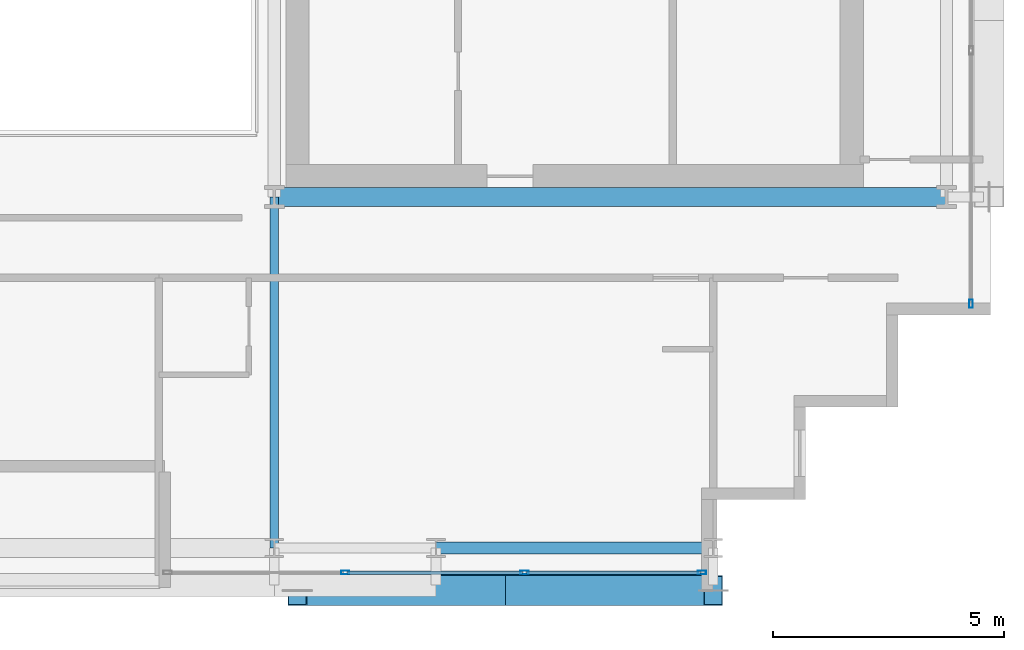
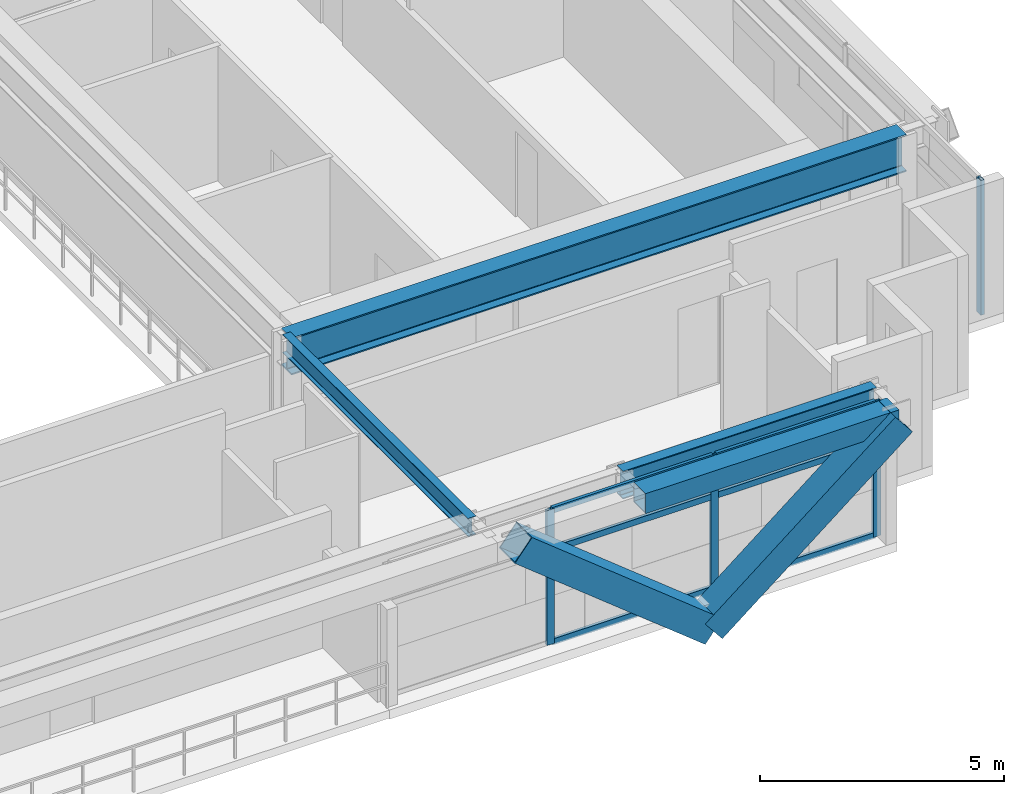
# One storey, part 10 of 31: 12 members, 4 beams, 2 elements without a shape of their own.
"""IFC4 building model written with IfcOpenShell, lengths in metres."""

from ifc_helpers import new_model, si_unit, direction, frame, origin, origin_2d, place, context, subcontext, project, spatial, hollow_rectangle, i_section, extrude, source, transform, mapped, material, layer, layer_set, material_profile, profile_set, type_object, element, aggregate, save


model = new_model("IFC4")

# Units and contexts
model_context = context("Model", 3, precision=1e-05, world=origin(), true_north=direction((0.0, 1.0)))
body_context = subcontext(model_context, "Body", "Model", "MODEL_VIEW")
ifc_project = project(units=[si_unit("LENGTHUNIT", "METRE"), si_unit("AREAUNIT", "SQUARE_METRE"), si_unit("VOLUMEUNIT", "CUBIC_METRE"), si_unit("PLANEANGLEUNIT", "RADIAN"), si_unit("MASSUNIT", "GRAM", prefix="KILO")], contexts=[model_context])

# Site, building, storey
site_placement = place(None, origin())
site = spatial("IfcSite", under=ifc_project, at=site_placement, CompositionType="ELEMENT")
building_placement = place(site_placement, origin())
building = spatial("IfcBuilding", under=site, at=building_placement, Name="Ocotamira Hotel", CompositionType="ELEMENT")
storey_placement = place(building_placement, frame((0.0, 0.0, 199.199951171875)))
storey = spatial("IfcBuildingStorey", under=building, at=storey_placement, Name="L50", CompositionType="ELEMENT", Elevation=199.199951171875)

# Beams
ifc_material_1 = material(Name="Steel ASTM A992 Grade 50", Category="steel")
ifc_material_profile_1 = material_profile(ifc_material_1, i_section(OverallWidth=0.41796875, OverallDepth=0.927001953125, WebThickness=0.019287109375, FlangeThickness=0.031982421875, FilletRadius=0.02392578125, at=origin_2d()), Name="W36X231")
ifc_profile_set_1 = profile_set([ifc_material_profile_1], Name="Steel ASTM A992 Grade 50")
beam_type_1 = type_object("IfcBeamType", Name="BM-GIRD-W36X231", PredefinedType="BEAM", material=ifc_profile_set_1)
shared_shape_1 = source(origin(), body_context, "Body", "SweptSolid", [
    extrude(i_section(OverallWidth=0.41796875, OverallDepth=0.927001953125, WebThickness=0.019287109375, FlangeThickness=0.031982421875, FilletRadius=0.02392578125, at=origin_2d()), origin(), (0.0, 0.0, 1.0), 14.550048828125),
])
beam_1_placement = place(storey_placement, frame((40.5, 14.550048828125, 2.906494140625), z_axis=(1.0, 0.0, 0.0), x_axis=(0.0, 1.0, 0.0)))
element("IfcBeam", 1, at=beam_1_placement, inside=storey, type_object=beam_type_1, Name="L50 Girder Y14.55 X40.5-55.05", PredefinedType="BEAM", context=body_context, shape_type="MappedRepresentation", body=[
    mapped(shared_shape_1, transform((0.0, 0.0, 0.0), scale=1.0)),
])
ifc_material_profile_2 = material_profile(ifc_material_1, i_section(OverallWidth=0.256103515625, OverallDepth=0.693115234375, WebThickness=0.014404296875, FlangeThickness=0.023681640625, FilletRadius=0.01611328125, at=origin_2d()), Name="W27X114")
ifc_profile_set_2 = profile_set([ifc_material_profile_2], Name="Steel ASTM A992 Grade 50")
beam_type_2 = type_object("IfcBeamType", Name="BM-PRIM-W27X114", PredefinedType="BEAM", material=ifc_profile_set_2)
shared_shape_2 = source(origin(), body_context, "Body", "SweptSolid", [
    extrude(i_section(OverallWidth=0.256103515625, OverallDepth=0.693115234375, WebThickness=0.014404296875, FlangeThickness=0.023681640625, FilletRadius=0.01611328125, at=origin_2d()), origin(), (0.0, 0.0, 1.0), 6.0),
])
beam_2_placement = place(storey_placement, frame((44.0, 6.949951171875, 3.0234375), z_axis=(1.0, 0.0, 0.0), x_axis=(0.0, 1.0, 0.0)))
element("IfcBeam", 2, at=beam_2_placement, inside=storey, type_object=beam_type_2, Name="L50 Girder Y6.95 X44-50", PredefinedType="BEAM", context=body_context, shape_type="MappedRepresentation", body=[
    mapped(shared_shape_2, transform((0.0, 0.0, 0.0), scale=1.0)),
])
ifc_material_2 = material(Name="Steel ASTM A500 Grade C", Category="steel")
ifc_material_profile_3 = material_profile(ifc_material_2, hollow_rectangle(XDim=0.5, YDim=0.5, WallThickness=0.02001953125, at=origin_2d()), Name="HSS500X500X20")
ifc_profile_set_3 = profile_set([ifc_material_profile_3], Name="Steel ASTM A500 Grade C")
beam_type_3 = type_object("IfcBeamType", Name="BM-SPAN-HSS500", PredefinedType="USERDEFINED", material=ifc_profile_set_3)
shared_shape_3 = source(origin(), body_context, "Body", "SweptSolid", [
    extrude(hollow_rectangle(XDim=0.5, YDim=0.5, WallThickness=0.02001953125, at=origin_2d()), origin(), (0.0, 0.0, 1.0), 6.0),
])
beam_3_placement = place(storey_placement, frame((44.0, 6.14990234375, 3.1201171875), z_axis=(1.0, 0.0, 0.0), x_axis=(0.0, 1.0, 0.0)))
element("IfcBeam", 3, at=beam_3_placement, inside=storey, type_object=beam_type_3, Name="L50 Edge Spandrel S X44-50", ObjectType="SPANDREL", PredefinedType="USERDEFINED", context=body_context, shape_type="MappedRepresentation", body=[
    mapped(shared_shape_3, transform((0.0, 0.0, 0.0), scale=1.0)),
])
ifc_material_profile_4 = material_profile(ifc_material_1, i_section(OverallWidth=0.18994140625, OverallDepth=0.45703125, WebThickness=0.009033203125, FlangeThickness=0.014404296875, FilletRadius=0.010009765625, at=origin_2d()), Name="W18X50")
ifc_profile_set_4 = profile_set([ifc_material_profile_4], Name="Steel ASTM A992 Grade 50")
beam_type_4 = type_object("IfcBeamType", Name="BM-SEC-W18X50", PredefinedType="JOIST", material=ifc_profile_set_4)
shared_shape_4 = source(origin(), body_context, "Body", "SweptSolid", [
    extrude(i_section(OverallWidth=0.18994140625, OverallDepth=0.45703125, WebThickness=0.009033203125, FlangeThickness=0.014404296875, FilletRadius=0.010009765625, at=origin_2d()), origin(), (0.0, 0.0, 1.0), 7.60009765625),
])
beam_4_placement = place(storey_placement, frame((40.5, 6.949951171875, 3.1416015625), z_axis=(0.0, 1.0, 0.0), x_axis=(-1.0, 0.0, 0.0)))
element("IfcBeam", 4, at=beam_4_placement, inside=storey, type_object=beam_type_4, Name="L50 Beam X40.5 Y6.95-14.55", PredefinedType="JOIST", context=body_context, shape_type="MappedRepresentation", body=[
    mapped(shared_shape_4, transform((0.0, 0.0, 0.0), scale=1.0)),
])

# Members
ifc_material_3 = material(Name="Pale-metal coated steel ASTM A913 Grade 65", Category="steel")
ifc_material_profile_5 = material_profile(ifc_material_3, hollow_rectangle(XDim=0.64990234375, YDim=0.64990234375, WallThickness=0.02197265625, at=origin_2d()), Name="BOX650X650X22")
ifc_profile_set_5 = profile_set([ifc_material_profile_5], Name="Pale-metal coated steel ASTM A913 Grade 65")
member_type_1 = type_object("IfcMemberType", Name="MEM-EXO-BOX650", PredefinedType="BRACE", material=ifc_profile_set_5)
shared_shape_5 = source(origin(), body_context, "Body", "SweptSolid", [
    extrude(hollow_rectangle(XDim=0.64990234375, YDim=0.64990234375, WallThickness=0.02197265625, at=origin_2d()), origin(), (0.0, 0.0, 1.0), 5.762939453125),
])
for number, where, z_axis, x_axis, name in (
    (5, (45.5, 6.030029296875, -0.47998046875), (-0.780860543151, 0.0, 0.624705380279), (0.0, -1.0, 0.0), "L50 Exoskeleton Diagrid S3.1"),
    (6, (45.5, 6.030029296875, -0.47998046875), (0.780860543151, 0.0, 0.624705380279), (0.0, 1.0, 0.0), "L50 Exoskeleton Diagrid S3.2"),
):
    element("IfcMember", number, at=place(storey_placement, frame(where, z_axis=z_axis, x_axis=x_axis)), inside=storey, type_object=member_type_1, Name=name, PredefinedType="BRACE", context=body_context, shape_type="MappedRepresentation", body=[
        mapped(shared_shape_5, transform((0.0, 0.0, 0.0), scale=1.0)),
    ])

# Curtain wall, members
ifc_material_4 = material(Name="Anodised pale-metal aluminium and solar glass", Category="aluminium")
ifc_layer = layer(ifc_material_4, 0.199951171875)
ifc_layer_set = layer_set([ifc_layer], Name="Anodised pale-metal aluminium and solar glass")
curtain_wall_type = type_object("IfcCurtainWallType", Name="CW-SYS4-Z3", PredefinedType="NOTDEFINED", material=ifc_layer_set)
curtain_wall_1_placement = place(storey_placement, origin())
curtain_wall_1 = element("IfcCurtainWall", 7, at=curtain_wall_1_placement, inside=storey, type_object=curtain_wall_type, Name="L50 Curtain Wall CW-4 CW-L50-S2", PredefinedType="NOTDEFINED")
ifc_material_5 = material(Name="Anodised pale-metal aluminium 6063-T6", Category="aluminium")
ifc_material_profile_6 = material_profile(ifc_material_5, hollow_rectangle(XDim=0.080078125, YDim=0.179931640625, WallThickness=0.006103515625, at=origin_2d()), Name="HSS180X80X6")
ifc_profile_set_6 = profile_set([ifc_material_profile_6], Name="Anodised pale-metal aluminium 6063-T6")
member_type_2 = type_object("IfcMemberType", Name="CWM-180X75", PredefinedType="MULLION", material=ifc_profile_set_6)
shared_shape_6 = source(origin(), body_context, "Body", "SweptSolid", [
    extrude(hollow_rectangle(XDim=0.080078125, YDim=0.179931640625, WallThickness=0.006103515625, at=origin_2d()), origin(), (0.0, 0.0, 1.0), 3.3701171875),
])
member_1_placement = place(storey_placement, frame((42.033447265625, 6.419921875, 0.0), z_axis=(0.0, 0.0, 1.0), x_axis=(0.0, 1.0, 0.0)))
member_1 = element("IfcMember", 8, at=member_1_placement, type_object=member_type_2, Name="CW-4 mullion 2", PredefinedType="MULLION", context=body_context, shape_type="MappedRepresentation", body=[
    mapped(shared_shape_6, transform((0.0, 0.0, 0.0), scale=1.0)),
])
member_2_placement = place(storey_placement, frame((45.916748046875, 6.419921875, 0.0), z_axis=(0.0, 0.0, 1.0), x_axis=(0.0, 1.0, 0.0)))
member_2 = element("IfcMember", 9, at=member_2_placement, type_object=member_type_2, Name="CW-4 mullion 3", PredefinedType="MULLION", context=body_context, shape_type="MappedRepresentation", body=[
    mapped(shared_shape_6, transform((0.0, 0.0, 0.0), scale=1.0)),
])
member_3_placement = place(storey_placement, frame((49.760009765625, 6.419921875, 0.0), z_axis=(0.0, 0.0, 1.0), x_axis=(0.0, 1.0, 0.0)))
member_3 = element("IfcMember", 10, at=member_3_placement, type_object=member_type_2, Name="CW-4 mullion 4", PredefinedType="MULLION", context=body_context, shape_type="MappedRepresentation", body=[
    mapped(shared_shape_6, transform((0.0, 0.0, 0.0), scale=1.0)),
])

# Curtain wall, member
curtain_wall_2_placement = place(storey_placement, origin())
curtain_wall_2 = element("IfcCurtainWall", 11, at=curtain_wall_2_placement, inside=storey, type_object=curtain_wall_type, Name="L50 Curtain Wall CW-4 CW-L50-E", PredefinedType="NOTDEFINED")
member_4_placement = place(storey_placement, frame((55.580078125, 12.239990234375, 0.0), z_axis=(0.0, 0.0, 1.0), x_axis=(-1.0, 0.0, 0.0)))
member_4 = element("IfcMember", 12, at=member_4_placement, type_object=member_type_2, Name="CW-4 mullion 1", PredefinedType="MULLION", context=body_context, shape_type="MappedRepresentation", body=[
    mapped(shared_shape_6, transform((0.0, 0.0, 0.0), scale=1.0)),
])
aggregate(curtain_wall_2, [member_4])

# Member
ifc_material_profile_7 = material_profile(ifc_material_5, hollow_rectangle(XDim=0.074951171875, YDim=0.14990234375, WallThickness=0.006103515625, at=origin_2d()), Name="HSS150X75X6")
ifc_profile_set_7 = profile_set([ifc_material_profile_7], Name="Anodised pale-metal aluminium 6063-T6")
member_type_3 = type_object("IfcMemberType", Name="CWT-150X75", PredefinedType="USERDEFINED", material=ifc_profile_set_7)
shared_shape_7 = source(origin(), body_context, "Body", "SweptSolid", [
    extrude(hollow_rectangle(XDim=0.074951171875, YDim=0.14990234375, WallThickness=0.006103515625, at=origin_2d()), origin(), (0.0, 0.0, 1.0), 3.76318359375),
])
member_5_placement = place(storey_placement, frame((45.956787109375, 6.419921875, 0.03759765625), z_axis=(1.0, 0.0, 0.0), x_axis=(0.0, 1.0, 0.0)))
member_5 = element("IfcMember", 13, at=member_5_placement, type_object=member_type_3, Name="CW-4 transom 3.1", ObjectType="TRANSOM", PredefinedType="USERDEFINED", context=body_context, shape_type="MappedRepresentation", body=[
    mapped(shared_shape_7, transform((0.0, 0.0, 0.0), scale=1.0)),
])

member_6_placement = place(storey_placement, frame((45.956787109375, 6.419921875, 2.35009765625), z_axis=(1.0, 0.0, 0.0), x_axis=(0.0, 1.0, 0.0)))
member_6 = element("IfcMember", 14, at=member_6_placement, type_object=member_type_3, Name="CW-4 transom 3.2", ObjectType="TRANSOM", PredefinedType="USERDEFINED", context=body_context, shape_type="MappedRepresentation", body=[
    mapped(shared_shape_7, transform((0.0, 0.0, 0.0), scale=1.0)),
])

member_7_placement = place(storey_placement, frame((45.956787109375, 6.419921875, 3.33251953125), z_axis=(1.0, 0.0, 0.0), x_axis=(0.0, 1.0, 0.0)))
member_7 = element("IfcMember", 15, at=member_7_placement, type_object=member_type_3, Name="CW-4 transom 3.3", ObjectType="TRANSOM", PredefinedType="USERDEFINED", context=body_context, shape_type="MappedRepresentation", body=[
    mapped(shared_shape_7, transform((0.0, 0.0, 0.0), scale=1.0)),
])

shared_shape_8 = source(origin(), body_context, "Body", "SweptSolid", [
    extrude(hollow_rectangle(XDim=0.074951171875, YDim=0.14990234375, WallThickness=0.006103515625, at=origin_2d()), origin(), (0.0, 0.0, 1.0), 3.803466796875),
])
member_8_placement = place(storey_placement, frame((42.0732421875, 6.419921875, 0.03759765625), z_axis=(1.0, 0.0, 0.0), x_axis=(0.0, 1.0, 0.0)))
member_8 = element("IfcMember", 16, at=member_8_placement, type_object=member_type_3, Name="CW-4 transom 2.1", ObjectType="TRANSOM", PredefinedType="USERDEFINED", context=body_context, shape_type="MappedRepresentation", body=[
    mapped(shared_shape_8, transform((0.0, 0.0, 0.0), scale=1.0)),
])

member_9_placement = place(storey_placement, frame((42.0732421875, 6.419921875, 2.35009765625), z_axis=(1.0, 0.0, 0.0), x_axis=(0.0, 1.0, 0.0)))
member_9 = element("IfcMember", 17, at=member_9_placement, type_object=member_type_3, Name="CW-4 transom 2.2", ObjectType="TRANSOM", PredefinedType="USERDEFINED", context=body_context, shape_type="MappedRepresentation", body=[
    mapped(shared_shape_8, transform((0.0, 0.0, 0.0), scale=1.0)),
])

member_10_placement = place(storey_placement, frame((42.0732421875, 6.419921875, 3.33251953125), z_axis=(1.0, 0.0, 0.0), x_axis=(0.0, 1.0, 0.0)))
member_10 = element("IfcMember", 18, at=member_10_placement, type_object=member_type_3, Name="CW-4 transom 2.3", ObjectType="TRANSOM", PredefinedType="USERDEFINED", context=body_context, shape_type="MappedRepresentation", body=[
    mapped(shared_shape_8, transform((0.0, 0.0, 0.0), scale=1.0)),
])

aggregate(curtain_wall_1, [member_1, member_2, member_3, member_8, member_9, member_10, member_5, member_6, member_7])

save(model, "model.ifc")
